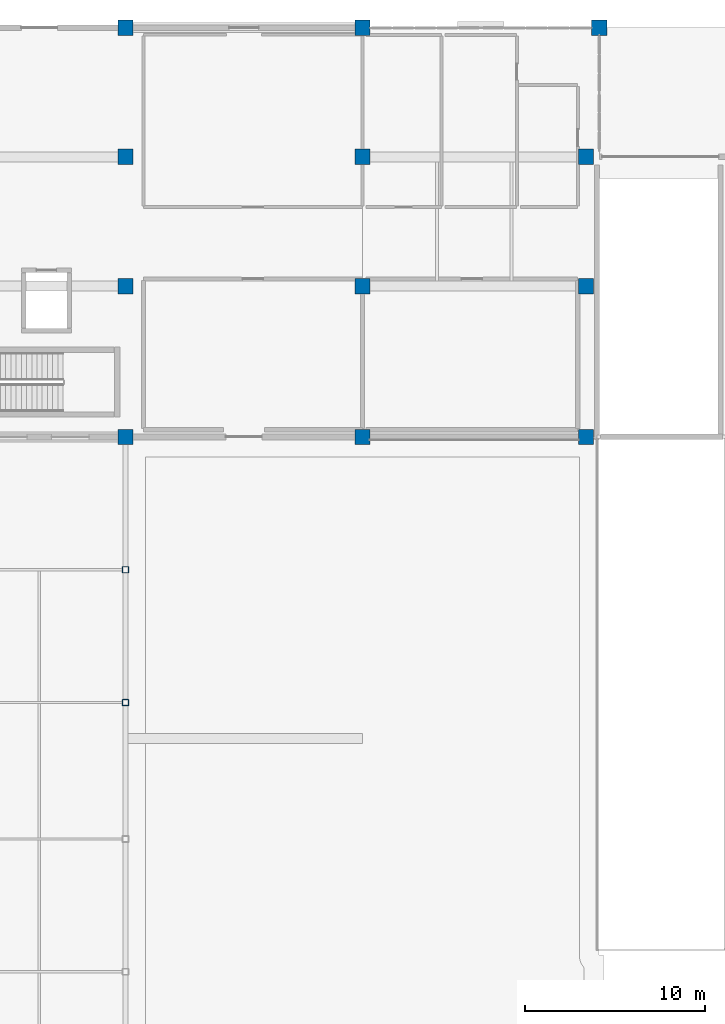
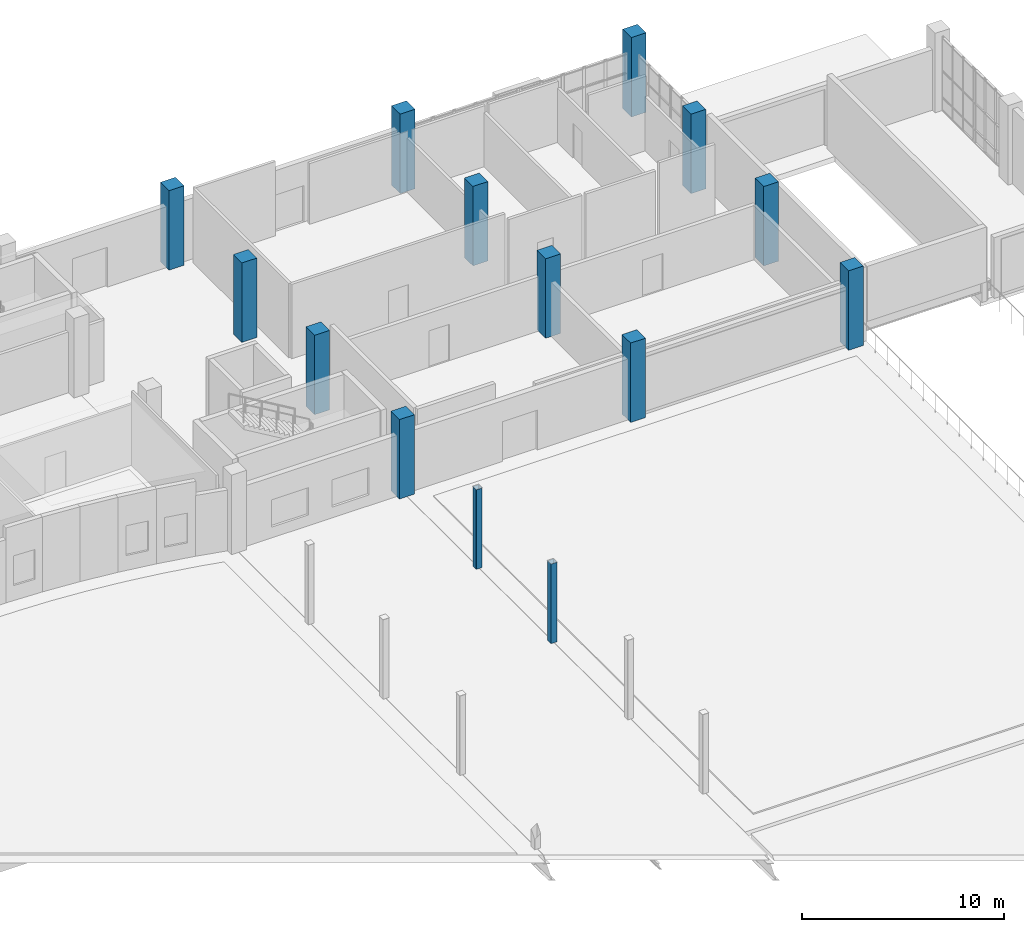
# One storey, part 19 of 97: 14 columns.
"""IFC4 building model written with IfcOpenShell, lengths in metres."""

from ifc_helpers import new_model, si_unit, direction, frame, origin, origin_2d, place, context, subcontext, project, spatial, rectangle, hollow_rectangle, extrude, material, material_profile, profile_set, type_object, element, save


model = new_model("IFC4")

# Units and contexts
model_context = context("Model", 3, precision=1e-05, world=origin(), true_north=direction((0.0, 1.0)))
body_context = subcontext(model_context, "Body", "Model", "MODEL_VIEW")
ifc_project = project(units=[si_unit("LENGTHUNIT", "METRE"), si_unit("AREAUNIT", "SQUARE_METRE"), si_unit("VOLUMEUNIT", "CUBIC_METRE"), si_unit("PLANEANGLEUNIT", "RADIAN"), si_unit("MASSUNIT", "GRAM", prefix="KILO")], contexts=[model_context])

# Site, building, storey
site_placement = place(None, origin())
site = spatial("IfcSite", under=ifc_project, at=site_placement, CompositionType="ELEMENT")
building_placement = place(site_placement, origin())
building = spatial("IfcBuilding", under=site, at=building_placement, Name="Kisaragi Civic Commons", CompositionType="ELEMENT")
storey_placement = place(building_placement, origin())
storey = spatial("IfcBuildingStorey", under=building, at=storey_placement, Name="L00", CompositionType="ELEMENT", Elevation=0.0)

# Columns
ifc_material_1 = material(Name="Concrete Fc36", Category="concrete")
ifc_material_profile_1 = material_profile(ifc_material_1, rectangle(XDim=0.85009765625, YDim=0.85009765625, at=origin_2d()), Name="RC-850x850", Category="concrete")
ifc_profile_set_1 = profile_set([ifc_material_profile_1], Name="Concrete Fc36")
column_type_1 = type_object("IfcColumnType", Name="C-01", PredefinedType="COLUMN", material=ifc_profile_set_1)
for number, where, z_axis, x_axis, name in (
    (1, (133.199951171875, 104.39990234375, 0.0), (0.0, 0.0, 1.0), (1.0, 0.0, 0.0), "L00 column C-01 (133.2,104.4)"),
    (2, (133.199951171875, 111.60009765625, 0.0), (0.0, 0.0, 1.0), (1.0, 0.0, 0.0), "L00 column C-01 (133.2,111.6)"),
    (3, (146.39990234375, 104.39990234375, 0.0), (0.0, 0.0, 1.0), (1.0, 0.0, 0.0), "L00 column C-01 (146.4,104.4)"),
    (4, (146.39990234375, 111.60009765625, 0.0), (0.0, 0.0, 1.0), (1.0, 0.0, 0.0), "L00 column C-01 (146.4,111.6)"),
):
    element("IfcColumn", number, at=place(storey_placement, frame(where, z_axis=z_axis, x_axis=x_axis)), inside=storey, type_object=column_type_1, Name=name, PredefinedType="COLUMN", context=body_context, shape_type="SweptSolid", body=[
        extrude(rectangle(XDim=0.85009765625, YDim=0.85009765625, at=origin_2d()), origin(), (0.0, 0.0, 1.0), 4.800048828125),
    ])
ifc_material_profile_2 = material_profile(ifc_material_1, rectangle(XDim=0.85009765625, YDim=0.85009765625, at=origin_2d()), Name="RC-850x850", Category="concrete")
ifc_profile_set_2 = profile_set([ifc_material_profile_2], Name="Concrete Fc36")
column_type_2 = type_object("IfcColumnType", Name="C-05", PredefinedType="COLUMN", material=ifc_profile_set_2)
for number, where, z_axis, x_axis, name in (
    (5, (133.199951171875, 96.0, 0.0), (0.0, 0.0, 1.0), (1.0, 0.0, 0.0), "L00 column C-05 (133.2,96.0)"),
    (6, (133.199951171875, 118.800048828125, 0.0), (0.0, 0.0, 1.0), (1.0, 0.0, 0.0), "L00 column C-05 (133.2,118.8)"),
    (7, (146.39990234375, 96.0, 0.0), (0.0, 0.0, 1.0), (1.0, 0.0, 0.0), "L00 column C-05 (146.4,96.0)"),
    (8, (146.39990234375, 118.800048828125, 0.0), (0.0, 0.0, 1.0), (1.0, 0.0, 0.0), "L00 column C-05 (146.4,118.8)"),
    (9, (158.85009765625, 96.0, 0.0), (0.0, 0.0, 1.0), (1.0, 0.0, 0.0), "L00 column C-05 (158.8,96.0)"),
    (10, (158.85009765625, 104.39990234375, 0.0), (0.0, 0.0, 1.0), (1.0, 0.0, 0.0), "L00 column C-05 (158.8,104.4)"),
    (11, (158.85009765625, 111.60009765625, 0.0), (0.0, 0.0, 1.0), (1.0, 0.0, 0.0), "L00 column C-05 (158.8,111.6)"),
    (12, (159.60009765625, 118.800048828125, 0.0), (0.0, 0.0, 1.0), (1.0, 0.0, 0.0), "L00 column C-05 (159.6,118.8)"),
):
    element("IfcColumn", number, at=place(storey_placement, frame(where, z_axis=z_axis, x_axis=x_axis)), inside=storey, type_object=column_type_2, Name=name, PredefinedType="COLUMN", context=body_context, shape_type="SweptSolid", body=[
        extrude(rectangle(XDim=0.85009765625, YDim=0.85009765625, at=origin_2d()), origin(), (0.0, 0.0, 1.0), 4.800048828125),
    ])
ifc_material_2 = material(Name="Steel BCR295", Category="steel")
ifc_material_profile_3 = material_profile(ifc_material_2, hollow_rectangle(XDim=0.35009765625, YDim=0.35009765625, WallThickness=0.011962890625, InnerFilletRadius=0.011962890625, OuterFilletRadius=0.02392578125, at=origin_2d()), Name="BCR-350x350x12", Category="steel")
ifc_profile_set_3 = profile_set([ifc_material_profile_3], Name="Steel BCR295")
column_type_3 = type_object("IfcColumnType", Name="C-13", PredefinedType="COLUMN", material=ifc_profile_set_3)
for number, where, z_axis, x_axis, name in (
    (13, (133.199951171875, 81.199951171875, 0.0), (0.0, 0.0, 1.0), (1.0, 0.0, 0.0), "L00 column C-13 (133.2,81.2)"),
    (14, (133.199951171875, 88.60009765625, 0.0), (0.0, 0.0, 1.0), (1.0, 0.0, 0.0), "L00 column C-13 (133.2,88.6)"),
):
    element("IfcColumn", number, at=place(storey_placement, frame(where, z_axis=z_axis, x_axis=x_axis)), inside=storey, type_object=column_type_3, Name=name, PredefinedType="COLUMN", context=body_context, shape_type="SweptSolid", body=[
        extrude(hollow_rectangle(XDim=0.35009765625, YDim=0.35009765625, WallThickness=0.011962890625, InnerFilletRadius=0.011962890625, OuterFilletRadius=0.02392578125, at=origin_2d()), origin(), (0.0, 0.0, 1.0), 4.800048828125),
    ])

save(model, "model.ifc")
